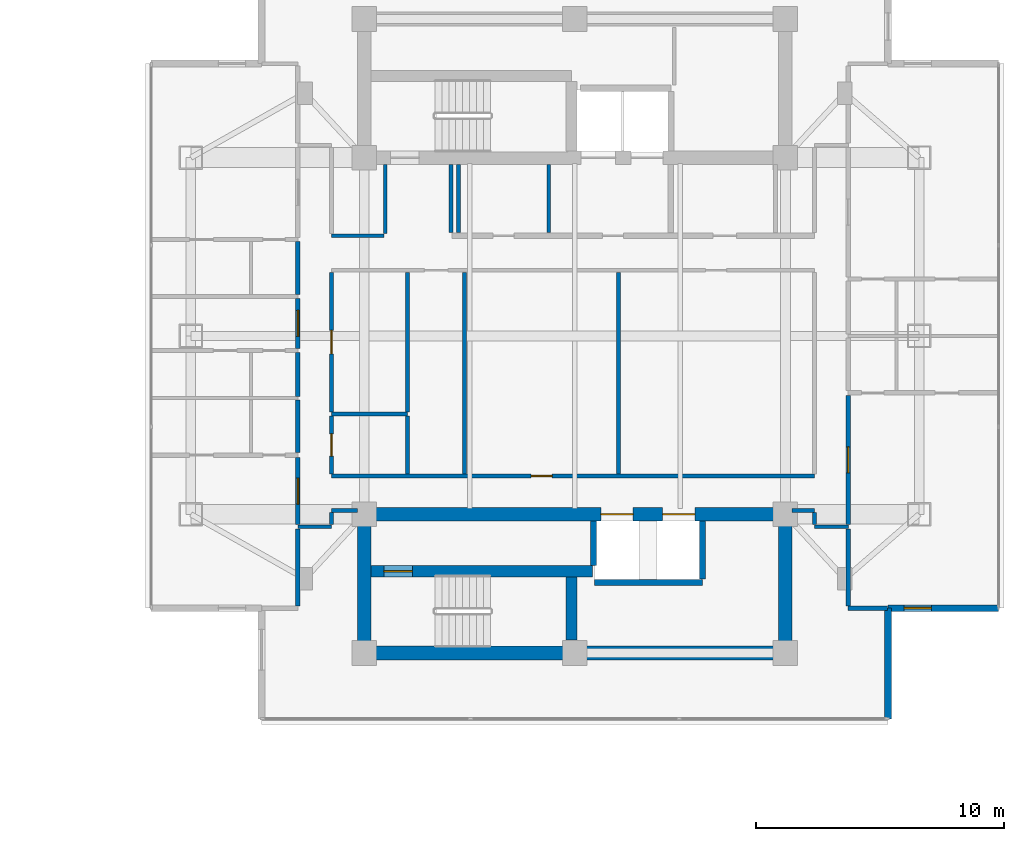
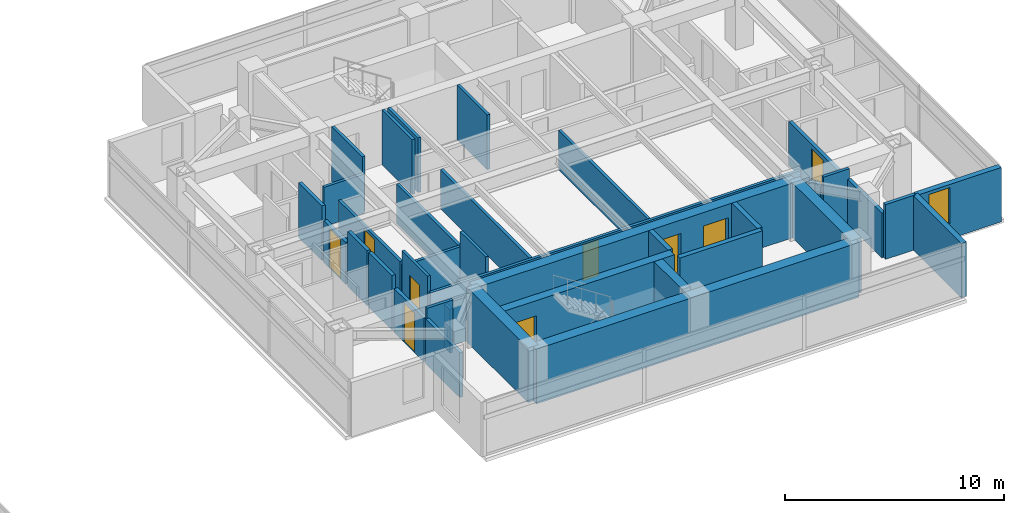
# One storey, part 16 of 24: 39 walls, 9 doors, 1 window, 10 openings.
"""IFC4 building model written with IfcOpenShell, lengths in metres."""

from ifc_helpers import new_model, si_unit, direction, frame, frame_2d, origin, place, context, subcontext, project, spatial, rectangle, extrude, material, layer, layer_set, type_object, element, fill, save


model = new_model("IFC4")

# Units and contexts
model_context = context("Model", 3, precision=1e-05, world=origin(), true_north=direction((0.0, 1.0)))
body_context = subcontext(model_context, "Body", "Model", "MODEL_VIEW")
ifc_project = project(units=[si_unit("LENGTHUNIT", "METRE"), si_unit("AREAUNIT", "SQUARE_METRE"), si_unit("VOLUMEUNIT", "CUBIC_METRE"), si_unit("PLANEANGLEUNIT", "RADIAN"), si_unit("MASSUNIT", "GRAM", prefix="KILO")], contexts=[model_context])

# Site, building, storey
site_placement = place(None, origin())
site = spatial("IfcSite", under=ifc_project, at=site_placement, CompositionType="ELEMENT")
building_placement = place(site_placement, origin())
building = spatial("IfcBuilding", under=site, at=building_placement, Name="Mirazonda Arch Towers", CompositionType="ELEMENT")
storey_placement = place(building_placement, frame((0.0, 0.0, 160.89990234375)))
storey = spatial("IfcBuildingStorey", under=building, at=storey_placement, Name="L45", CompositionType="ELEMENT", Elevation=160.89990234375)

# Wall, opening, door
ifc_material_1 = material(Name="Concrete C50/60", Category="concrete")
ifc_layer_1 = layer(ifc_material_1, 0.449951171875, Name="WALL-CORE-450")
ifc_layer_set_1 = layer_set([ifc_layer_1], Name="Concrete C50/60")
wall_type_1 = type_object("IfcWallType", Name="WALL-CORE-450", PredefinedType="SHEAR", material=ifc_layer_set_1)
wall_1_placement = place(storey_placement, frame((68.27001953125, 18.5, 0.0), z_axis=(0.0, 0.0, 1.0), x_axis=(1.0, 0.0, 0.0)))
wall_1 = element("IfcWall", 1, at=wall_1_placement, inside=storey, type_object=wall_type_1, Name="L45 Stair Core Shear Wall 014", PredefinedType="SHEAR", context=body_context, shape_type="SweptSolid", body=[
    extrude(rectangle(XDim=8.949951171875, YDim=0.449951171875, at=frame_2d((4.47509765625, 0.0))), origin(), (0.0, 0.0, 1.0), 3.050048828125),
])
opening_1_placement = place(wall_1_placement, frame((0.52001953125, 0.0, 0.0)))
opening_1 = element("IfcOpeningElement", 2, at=opening_1_placement, cuts=wall_1, Name="Opening DR-135", PredefinedType="OPENING", context=body_context, shape_type="SweptSolid", body=[
    extrude(rectangle(XDim=1.14990234375, YDim=2.199951171875, at=frame_2d((0.574951171875, 1.10009765625))), frame((0.0, 0.23486328125, 0.0), z_axis=(0.0, -1.0, 0.0), x_axis=(1.0, 0.0, 0.0)), (0.0, 0.0, 1.0), 0.469970703125),
])
ifc_material_2 = material(Name="Architectural Brushed Steel S355", Category="steel")
door_type_1 = type_object("IfcDoorType", Name="DOOR-STAIR-FD90-1150", OperationType="NOTDEFINED", PredefinedType="DOOR", material=ifc_material_2)
door_1_placement = place(opening_1_placement, origin())
door_1 = element("IfcDoor", 3, at=door_1_placement, inside=storey, type_object=door_type_1, Name="L45 East Protected Stair South Door", OperationType="SINGLE_SWING_LEFT", OverallHeight=2.199951171875, OverallWidth=1.14990234375, PredefinedType="DOOR", context=body_context, shape_type="SweptSolid", body=[
    extrude(rectangle(XDim=1.14990234375, YDim=2.199951171875, at=frame_2d((0.574951171875, 1.10009765625))), frame((0.0, 0.02490234375, 0.0), z_axis=(0.0, -1.0, 0.0), x_axis=(1.0, 0.0, 0.0)), (0.0, 0.0, 1.0), 0.050048828125),
])
fill(opening_1, door_1)

# Walls
wall_2_placement = place(storey_placement, frame((76.360107421875, 15.715087890625, 0.0), z_axis=(0.0, 0.0, 1.0), x_axis=(0.0, 1.0, 0.0)))
element("IfcWall", 4, at=wall_2_placement, inside=storey, type_object=wall_type_1, Name="L45 Stair Core Shear Wall 147", PredefinedType="SHEAR", context=body_context, shape_type="SweptSolid", body=[
    extrude(rectangle(XDim=2.5498046875, YDim=0.449951171875, at=frame_2d((1.27490234375, 0.0))), origin(), (0.0, 0.0, 1.0), 3.050048828125),
])
ifc_layer_2 = layer(ifc_material_1, 0.550048828125, Name="WALL-CORE-550")
ifc_layer_set_2 = layer_set([ifc_layer_2], Name="Concrete C50/60")
wall_type_2 = type_object("IfcWallType", Name="WALL-CORE-550", PredefinedType="SHEAR", material=ifc_layer_set_2)
wall_3_placement = place(storey_placement, frame((68.0, 15.199951171875, 0.0), z_axis=(0.0, 0.0, 1.0), x_axis=(1.0, 0.0, 0.0)))
element("IfcWall", 5, at=wall_3_placement, inside=storey, type_object=wall_type_2, Name="L45 T2S-S Core Shear Wall", PredefinedType="SHEAR", context=body_context, shape_type="SweptSolid", body=[
    extrude(rectangle(XDim=17.0, YDim=0.550048828125, at=frame_2d((8.5, 0.0))), origin(), (0.0, 0.0, 1.0), 3.050048828125),
])
for number, where, z_axis, x_axis, name in (
    (6, (68.0, 15.199951171875, 0.0), (0.0, 0.0, 1.0), (0.0, 1.0, 0.0), "L45 T2S-W Core Shear Wall"),
    (7, (85.0, 15.199951171875, 0.0), (0.0, 0.0, 1.0), (0.0, 1.0, 0.0), "L45 T2S-E Core Shear Wall"),
):
    element("IfcWall", number, at=place(storey_placement, frame(where, z_axis=z_axis, x_axis=x_axis)), inside=storey, type_object=wall_type_2, Name=name, PredefinedType="SHEAR", context=body_context, shape_type="SweptSolid", body=[
        extrude(rectangle(XDim=5.60009765625, YDim=0.550048828125, at=frame_2d((2.800048828125, 0.0))), origin(), (0.0, 0.0, 1.0), 3.050048828125),
    ])

# Wall, openings, doors
wall_4_placement = place(storey_placement, frame((68.0, 20.800048828125, 0.0), z_axis=(0.0, 0.0, 1.0), x_axis=(1.0, 0.0, 0.0)))
wall_4 = element("IfcWall", 8, at=wall_4_placement, inside=storey, type_object=wall_type_2, Name="L45 T2S-N Core Shear Wall", PredefinedType="SHEAR", context=body_context, shape_type="SweptSolid", body=[
    extrude(rectangle(XDim=17.0, YDim=0.550048828125, at=frame_2d((8.5, 0.0))), origin(), (0.0, 0.0, 1.0), 3.050048828125),
])
opening_2_placement = place(wall_4_placement, frame((9.550048828125, 0.0, 0.0)))
opening_2 = element("IfcOpeningElement", 9, at=opening_2_placement, cuts=wall_4, Name="Opening LD-111", PredefinedType="OPENING", context=body_context, shape_type="SweptSolid", body=[
    extrude(rectangle(XDim=1.300048828125, YDim=2.300048828125, at=frame_2d((0.64990234375, 1.14990234375))), frame((0.0, 0.284912109375, 0.0), z_axis=(0.0, -1.0, 0.0), x_axis=(1.0, 0.0, 0.0)), (0.0, 0.0, 1.0), 0.570068359375),
])
opening_3_placement = place(wall_4_placement, frame((12.050048828125, 0.0, 0.0)))
opening_3 = element("IfcOpeningElement", 10, at=opening_3_placement, cuts=wall_4, Name="Opening LD-111", PredefinedType="OPENING", context=body_context, shape_type="SweptSolid", body=[
    extrude(rectangle(XDim=1.300048828125, YDim=2.300048828125, at=frame_2d((0.64990234375, 1.14990234375))), frame((0.0, 0.284912109375, 0.0), z_axis=(0.0, -1.0, 0.0), x_axis=(1.0, 0.0, 0.0)), (0.0, 0.0, 1.0), 0.570068359375),
])
door_type_2 = type_object("IfcDoorType", Name="DOOR-LIFT-LAND-1300", OperationType="NOTDEFINED", PredefinedType="DOOR", material=ifc_material_2)
door_2_placement = place(opening_2_placement, origin())
door_2 = element("IfcDoor", 11, at=door_2_placement, inside=storey, type_object=door_type_2, Name="L45 Lift Landing Sliding Door PL-T2H1", OperationType="DOUBLE_DOOR_SLIDING", OverallHeight=2.300048828125, OverallWidth=1.300048828125, PredefinedType="DOOR", context=body_context, shape_type="SweptSolid", body=[
    extrude(rectangle(XDim=1.300048828125, YDim=2.300048828125, at=frame_2d((0.64990234375, 1.14990234375))), frame((0.0, 0.02490234375, 0.0), z_axis=(0.0, -1.0, 0.0), x_axis=(1.0, 0.0, 0.0)), (0.0, 0.0, 1.0), 0.050048828125),
])
fill(opening_2, door_2)
door_3_placement = place(opening_3_placement, origin())
door_3 = element("IfcDoor", 12, at=door_3_placement, inside=storey, type_object=door_type_2, Name="L45 Lift Landing Sliding Door PL-T2H2", OperationType="DOUBLE_DOOR_SLIDING", OverallHeight=2.300048828125, OverallWidth=1.300048828125, PredefinedType="DOOR", context=body_context, shape_type="SweptSolid", body=[
    extrude(rectangle(XDim=1.300048828125, YDim=2.300048828125, at=frame_2d((0.64990234375, 1.14990234375))), frame((0.0, 0.02490234375, 0.0), z_axis=(0.0, -1.0, 0.0), x_axis=(1.0, 0.0, 0.0)), (0.0, 0.0, 1.0), 0.050048828125),
])
fill(opening_3, door_3)

# Wall, opening, window
ifc_material_3 = material(Name="Precast Concrete C40/50", Category="concrete")
ifc_layer_3 = layer(ifc_material_3, 0.280029296875, Name="WALL-EXT-WALL-280")
ifc_layer_set_3 = layer_set([ifc_layer_3], Name="Precast Concrete C40/50")
wall_type_3 = type_object("IfcWallType", Name="WALL-EXT-WALL-280", PredefinedType="SOLIDWALL", material=ifc_layer_set_3)
wall_5_placement = place(storey_placement, frame((89.143310546875, 17.007080078125, 0.0), z_axis=(0.0, 0.0, 1.0), x_axis=(1.0, 0.0, 0.0)))
wall_5 = element("IfcWall", 13, at=wall_5_placement, inside=storey, type_object=wall_type_3, Name="L45 T2 Corner Notch Return Wall WL-L45-T2-CSE1", PredefinedType="SOLIDWALL", context=body_context, shape_type="SweptSolid", body=[
    extrude(rectangle(XDim=4.465087890625, YDim=0.280029296875, at=frame_2d((2.232421875, 0.0))), origin(), (0.0, 0.0, 1.0), 3.030029296875),
])
opening_4_placement = place(wall_5_placement, frame((0.64990234375, 0.0, 0.85009765625)))
opening_4 = element("IfcOpeningElement", 14, at=opening_4_placement, cuts=wall_5, Name="Opening WN-108", PredefinedType="OPENING", context=body_context, shape_type="SweptSolid", body=[
    extrude(rectangle(XDim=1.10009765625, YDim=2.0, at=frame_2d((0.550048828125, 1.0))), frame((0.0, 0.14990234375, 0.0), z_axis=(0.0, -1.0, 0.0), x_axis=(1.0, 0.0, 0.0)), (0.0, 0.0, 1.0), 0.300048828125),
])
ifc_material_4 = material(Name="Insulated Low-E Solar Glass", Category="glass")
window_type = type_object("IfcWindowType", Name="WIN-NOTCH-1100x2000", PartitioningType="SINGLE_PANEL", PredefinedType="WINDOW", material=ifc_material_4)
window_placement = place(opening_4_placement, origin())
window = element("IfcWindow", 15, at=window_placement, inside=storey, type_object=window_type, Name="L45 Punched Facade Window WN-L45-T2-CSE1", OverallHeight=2.0, OverallWidth=1.10009765625, PartitioningType="SINGLE_PANEL", PredefinedType="WINDOW", context=body_context, shape_type="SweptSolid", body=[
    extrude(rectangle(XDim=1.10009765625, YDim=2.0, at=frame_2d((0.550048828125, 1.0))), frame((0.0, 0.030029296875, 0.0), z_axis=(0.0, -1.0, 0.0), x_axis=(1.0, 0.0, 0.0)), (0.0, 0.0, 1.0), 0.06005859375),
])
fill(opening_4, window)

# Walls
wall_6_placement = place(storey_placement, frame((89.143310546875, 12.5419921875, 0.0), z_axis=(0.0, 0.0, 1.0), x_axis=(0.0, 1.0, 0.0)))
element("IfcWall", 16, at=wall_6_placement, inside=storey, type_object=wall_type_3, Name="L45 T2 Corner Notch Return Wall WL-L45-T2-CSE2", PredefinedType="SOLIDWALL", context=body_context, shape_type="SweptSolid", body=[
    extrude(rectangle(XDim=4.465087890625, YDim=0.280029296875, at=frame_2d((2.232421875, 0.0))), origin(), (0.0, 0.0, 1.0), 3.030029296875),
])
ifc_material_5 = material(Name="Fire-Rated Gypsum Stud Partition")
ifc_layer_4 = layer(ifc_material_5, 0.14990234375, Name="WALL-PART-CORR-150")
ifc_layer_set_4 = layer_set([ifc_layer_4], Name="Fire-Rated Gypsum Stud Partition")
wall_type_4 = type_object("IfcWallType", Name="WALL-PART-CORR-150", PredefinedType="PARTITIONING", material=ifc_layer_set_4)
wall_7_placement = place(storey_placement, frame((65.320068359375, 20.300048828125, 0.0), z_axis=(0.0, 0.0, 1.0), x_axis=(1.0, 0.0, 0.0)))
element("IfcWall", 17, at=wall_7_placement, inside=storey, type_object=wall_type_4, Name="L45 Interior Partition 017", PredefinedType="PARTITIONING", context=body_context, shape_type="SweptSolid", body=[
    extrude(rectangle(XDim=1.35986328125, YDim=0.14990234375, at=frame_2d((0.679931640625, 0.0))), origin(), (0.0, 0.0, 1.0), 3.050048828125),
])
wall_8_placement = place(storey_placement, frame((86.179931640625, 20.300048828125, 0.0), z_axis=(0.0, 0.0, 1.0), x_axis=(1.0, 0.0, 0.0)))
element("IfcWall", 18, at=wall_8_placement, inside=storey, type_object=wall_type_4, Name="L45 Interior Partition 018", PredefinedType="PARTITIONING", context=body_context, shape_type="SweptSolid", body=[
    extrude(rectangle(XDim=1.360107421875, YDim=0.14990234375, at=frame_2d((0.68017578125, 0.0))), origin(), (0.0, 0.0, 1.0), 3.050048828125),
])
wall_9_placement = place(storey_placement, frame((66.679931640625, 20.949951171875, 0.0), z_axis=(0.0, 0.0, 1.0), x_axis=(1.0, 0.0, 0.0)))
element("IfcWall", 19, at=wall_9_placement, inside=storey, type_object=wall_type_4, Name="L45 Interior Partition 019", PredefinedType="PARTITIONING", context=body_context, shape_type="SweptSolid", body=[
    extrude(rectangle(XDim=1.050048828125, YDim=0.14990234375, at=frame_2d((0.52490234375, 0.0))), origin(), (0.0, 0.0, 1.0), 2.442138671875),
])
wall_10_placement = place(storey_placement, frame((85.27001953125, 20.949951171875, 0.0), z_axis=(0.0, 0.0, 1.0), x_axis=(1.0, 0.0, 0.0)))
element("IfcWall", 20, at=wall_10_placement, inside=storey, type_object=wall_type_4, Name="L45 Interior Partition 020", PredefinedType="PARTITIONING", context=body_context, shape_type="SweptSolid", body=[
    extrude(rectangle(XDim=0.909912109375, YDim=0.14990234375, at=frame_2d((0.455078125, 0.0))), origin(), (0.0, 0.0, 1.0), 2.442138671875),
])

# Wall, opening, door
wall_11_placement = place(storey_placement, frame((66.679931640625, 22.35009765625, 0.0), z_axis=(0.0, 0.0, 1.0), x_axis=(1.0, 0.0, 0.0)))
wall_11 = element("IfcWall", 21, at=wall_11_placement, inside=storey, type_object=wall_type_4, Name="L45 Interior Partition 023", PredefinedType="PARTITIONING", context=body_context, shape_type="SweptSolid", body=[
    extrude(rectangle(XDim=19.5, YDim=0.14990234375, at=frame_2d((9.75, 0.0))), origin(), (0.0, 0.0, 1.0), 2.18603515625),
])
opening_5_placement = place(wall_11_placement, frame((8.053466796875, 0.0, 0.0)))
opening_5 = element("IfcOpeningElement", 22, at=opening_5_placement, cuts=wall_11, Name="Opening DR-128", PredefinedType="OPENING", context=body_context, shape_type="SweptSolid", body=[
    extrude(rectangle(XDim=0.85009765625, YDim=2.010009765625, at=frame_2d((0.425048828125, 1.0048828125))), frame((0.0, 0.0849609375, 0.0), z_axis=(0.0, -1.0, 0.0), x_axis=(1.0, 0.0, 0.0)), (0.0, 0.0, 1.0), 0.169921875),
])
door_type_3 = type_object("IfcDoorType", Name="DOOR-RISER-FD60-850", OperationType="NOTDEFINED", PredefinedType="DOOR", material=ifc_material_2)
door_4_placement = place(opening_5_placement, origin())
door_4 = element("IfcDoor", 23, at=door_4_placement, inside=storey, type_object=door_type_3, Name="L45 Residents Private Library Door", OperationType="SINGLE_SWING_RIGHT", OverallHeight=2.010009765625, OverallWidth=0.85009765625, PredefinedType="DOOR", context=body_context, shape_type="SweptSolid", body=[
    extrude(rectangle(XDim=0.85009765625, YDim=2.010009765625, at=frame_2d((0.425048828125, 1.0048828125))), frame((0.0, 0.02490234375, 0.0), z_axis=(0.0, -1.0, 0.0), x_axis=(1.0, 0.0, 0.0)), (0.0, 0.0, 1.0), 0.050048828125),
])
fill(opening_5, door_4)

# Walls
wall_12_placement = place(storey_placement, frame((66.679931640625, 24.85009765625, 0.0), z_axis=(0.0, 0.0, 1.0), x_axis=(1.0, 0.0, 0.0)))
element("IfcWall", 24, at=wall_12_placement, inside=storey, type_object=wall_type_4, Name="L45 Interior Partition 028", PredefinedType="PARTITIONING", context=body_context, shape_type="SweptSolid", body=[
    extrude(rectangle(XDim=3.070068359375, YDim=0.14990234375, at=frame_2d((1.53515625, 0.0))), origin(), (0.0, 0.0, 1.0), 2.18603515625),
])
wall_13_placement = place(storey_placement, frame((66.679931640625, 32.050048828125, 0.0), z_axis=(0.0, 0.0, 1.0), x_axis=(1.0, 0.0, 0.0)))
element("IfcWall", 25, at=wall_13_placement, inside=storey, type_object=wall_type_4, Name="L45 Interior Partition 045", PredefinedType="PARTITIONING", context=body_context, shape_type="SweptSolid", body=[
    extrude(rectangle(XDim=2.1201171875, YDim=0.14990234375, at=frame_2d((1.06005859375, 0.0))), origin(), (0.0, 0.0, 1.0), 2.18603515625),
])
wall_14_placement = place(storey_placement, frame((66.679931640625, 20.385009765625, 0.0), z_axis=(0.0, 0.0, 1.0), x_axis=(0.0, 1.0, 0.0)))
element("IfcWall", 26, at=wall_14_placement, inside=storey, type_object=wall_type_4, Name="L45 Interior Partition 136", PredefinedType="PARTITIONING", context=body_context, shape_type="SweptSolid", body=[
    extrude(rectangle(XDim=0.47998046875, YDim=0.14990234375, at=frame_2d((0.239990234375, 0.0))), origin(), (0.0, 0.0, 1.0), 2.442138671875),
])

# Wall, opening, door
wall_15_placement = place(storey_placement, frame((66.679931640625, 22.43505859375, 0.0), z_axis=(0.0, 0.0, 1.0), x_axis=(0.0, 1.0, 0.0)))
wall_15 = element("IfcWall", 27, at=wall_15_placement, inside=storey, type_object=wall_type_4, Name="L45 Interior Partition 137", PredefinedType="PARTITIONING", context=body_context, shape_type="SweptSolid", body=[
    extrude(rectangle(XDim=2.329833984375, YDim=0.14990234375, at=frame_2d((1.1650390625, 0.0))), origin(), (0.0, 0.0, 1.0), 3.050048828125),
])
opening_6_placement = place(wall_15_placement, frame((0.715087890625, 0.0, 0.0)))
opening_6 = element("IfcOpeningElement", 28, at=opening_6_placement, cuts=wall_15, Name="Opening DR-120", PredefinedType="OPENING", context=body_context, shape_type="SweptSolid", body=[
    extrude(rectangle(XDim=0.89990234375, YDim=2.10009765625, at=frame_2d((0.449951171875, 1.050048828125))), frame((0.0, 0.0849609375, 0.0), z_axis=(0.0, -1.0, 0.0), x_axis=(1.0, 0.0, 0.0)), (0.0, 0.0, 1.0), 0.169921875),
])
door_type_4 = type_object("IfcDoorType", Name="DOOR-WC-900", OperationType="NOTDEFINED", PredefinedType="DOOR", material=ifc_material_2)
door_5_placement = place(opening_6_placement, origin())
door_5 = element("IfcDoor", 29, at=door_5_placement, inside=storey, type_object=door_type_4, Name="L45 Tower 2 Common Accessible WC Door", OperationType="SINGLE_SWING_RIGHT", OverallHeight=2.10009765625, OverallWidth=0.89990234375, PredefinedType="DOOR", context=body_context, shape_type="SweptSolid", body=[
    extrude(rectangle(XDim=0.89990234375, YDim=2.10009765625, at=frame_2d((0.449951171875, 1.050048828125))), frame((0.0, 0.02490234375, 0.0), z_axis=(0.0, -1.0, 0.0), x_axis=(1.0, 0.0, 0.0)), (0.0, 0.0, 1.0), 0.050048828125),
])
fill(opening_6, door_5)

wall_16_placement = place(storey_placement, frame((66.679931640625, 24.93505859375, 0.0), z_axis=(0.0, 0.0, 1.0), x_axis=(0.0, 1.0, 0.0)))
wall_16 = element("IfcWall", 30, at=wall_16_placement, inside=storey, type_object=wall_type_4, Name="L45 Interior Partition 138", PredefinedType="PARTITIONING", context=body_context, shape_type="SweptSolid", body=[
    extrude(rectangle(XDim=5.6298828125, YDim=0.14990234375, at=frame_2d((2.81494140625, 0.0))), origin(), (0.0, 0.0, 1.0), 2.34619140625),
])
opening_7_placement = place(wall_16_placement, frame((2.340087890625, 0.0, 0.0)))
opening_7 = element("IfcOpeningElement", 31, at=opening_7_placement, cuts=wall_16, Name="Opening DR-104", PredefinedType="OPENING", context=body_context, shape_type="SweptSolid", body=[
    extrude(rectangle(XDim=0.949951171875, YDim=2.14990234375, at=frame_2d((0.47509765625, 1.074951171875))), frame((0.0, 0.0849609375, 0.0), z_axis=(0.0, -1.0, 0.0), x_axis=(1.0, 0.0, 0.0)), (0.0, 0.0, 1.0), 0.169921875),
])
door_type_5 = type_object("IfcDoorType", Name="DOOR-ROOM-950", OperationType="NOTDEFINED", PredefinedType="DOOR", material=ifc_material_2)
door_6_placement = place(opening_7_placement, origin())
door_6 = element("IfcDoor", 32, at=door_6_placement, inside=storey, type_object=door_type_5, Name="L45 L45 East Courtyard Reading Study Door", OperationType="SINGLE_SWING_RIGHT", OverallHeight=2.14990234375, OverallWidth=0.949951171875, PredefinedType="DOOR", context=body_context, shape_type="SweptSolid", body=[
    extrude(rectangle(XDim=0.949951171875, YDim=2.14990234375, at=frame_2d((0.47509765625, 1.074951171875))), frame((0.0, 0.02490234375, 0.0), z_axis=(0.0, -1.0, 0.0), x_axis=(1.0, 0.0, 0.0)), (0.0, 0.0, 1.0), 0.050048828125),
])
fill(opening_7, door_6)

# Walls
wall_17_placement = place(storey_placement, frame((68.85009765625, 32.135009765625, 0.0), z_axis=(0.0, 0.0, 1.0), x_axis=(0.0, 1.0, 0.0)))
element("IfcWall", 33, at=wall_17_placement, inside=storey, type_object=wall_type_4, Name="L45 Interior Partition 140", PredefinedType="PARTITIONING", context=body_context, shape_type="SweptSolid", body=[
    extrude(rectangle(XDim=2.794921875, YDim=0.14990234375, at=frame_2d((1.3974609375, 0.0))), origin(), (0.0, 0.0, 1.0), 3.050048828125),
])
wall_18_placement = place(storey_placement, frame((69.743408203125, 22.43505859375, 0.0), z_axis=(0.0, 0.0, 1.0), x_axis=(0.0, 1.0, 0.0)))
element("IfcWall", 34, at=wall_18_placement, inside=storey, type_object=wall_type_4, Name="L45 Interior Partition 141", PredefinedType="PARTITIONING", context=body_context, shape_type="SweptSolid", body=[
    extrude(rectangle(XDim=2.329833984375, YDim=0.14990234375, at=frame_2d((1.1650390625, 0.0))), origin(), (0.0, 0.0, 1.0), 3.050048828125),
])
wall_19_placement = place(storey_placement, frame((69.743408203125, 24.93505859375, 0.0), z_axis=(0.0, 0.0, 1.0), x_axis=(0.0, 1.0, 0.0)))
element("IfcWall", 35, at=wall_19_placement, inside=storey, type_object=wall_type_4, Name="L45 Interior Partition 142", PredefinedType="PARTITIONING", context=body_context, shape_type="SweptSolid", body=[
    extrude(rectangle(XDim=5.6298828125, YDim=0.14990234375, at=frame_2d((2.81494140625, 0.0))), origin(), (0.0, 0.0, 1.0), 2.18603515625),
])
for number, where, z_axis, x_axis, name in (
    (36, (71.5, 32.169921875, 0.0), (0.0, 0.0, 1.0), (0.0, 1.0, 0.0), "L45 Interior Partition 143"),
    (37, (71.800048828125, 32.169921875, 0.0), (0.0, 0.0, 1.0), (0.0, 1.0, 0.0), "L45 Interior Partition 144"),
):
    element("IfcWall", number, at=place(storey_placement, frame(where, z_axis=z_axis, x_axis=x_axis)), inside=storey, type_object=wall_type_4, Name=name, PredefinedType="PARTITIONING", context=body_context, shape_type="SweptSolid", body=[
        extrude(rectangle(XDim=2.760009765625, YDim=0.14990234375, at=frame_2d((1.3798828125, 0.0))), origin(), (0.0, 0.0, 1.0), 3.050048828125),
    ])
wall_20_placement = place(storey_placement, frame((72.050048828125, 22.43505859375, 0.0), z_axis=(0.0, 0.0, 1.0), x_axis=(0.0, 1.0, 0.0)))
element("IfcWall", 38, at=wall_20_placement, inside=storey, type_object=wall_type_4, Name="L45 Interior Partition 145", PredefinedType="PARTITIONING", context=body_context, shape_type="SweptSolid", body=[
    extrude(rectangle(XDim=8.1298828125, YDim=0.14990234375, at=frame_2d((4.06494140625, 0.0))), origin(), (0.0, 0.0, 1.0), 2.18603515625),
])
wall_21_placement = place(storey_placement, frame((75.449951171875, 32.169921875, 0.0), z_axis=(0.0, 0.0, 1.0), x_axis=(0.0, 1.0, 0.0)))
element("IfcWall", 39, at=wall_21_placement, inside=storey, type_object=wall_type_4, Name="L45 Interior Partition 146", PredefinedType="PARTITIONING", context=body_context, shape_type="SweptSolid", body=[
    extrude(rectangle(XDim=2.760009765625, YDim=0.14990234375, at=frame_2d((1.3798828125, 0.0))), origin(), (0.0, 0.0, 1.0), 3.050048828125),
])
wall_22_placement = place(storey_placement, frame((78.26708984375, 22.43505859375, 0.0), z_axis=(0.0, 0.0, 1.0), x_axis=(0.0, 1.0, 0.0)))
element("IfcWall", 40, at=wall_22_placement, inside=storey, type_object=wall_type_4, Name="L45 Interior Partition 150", PredefinedType="PARTITIONING", context=body_context, shape_type="SweptSolid", body=[
    extrude(rectangle(XDim=8.1298828125, YDim=0.14990234375, at=frame_2d((4.06494140625, 0.0))), origin(), (0.0, 0.0, 1.0), 2.18603515625),
])
wall_23_placement = place(storey_placement, frame((86.179931640625, 20.385009765625, 0.0), z_axis=(0.0, 0.0, 1.0), x_axis=(0.0, 1.0, 0.0)))
element("IfcWall", 41, at=wall_23_placement, inside=storey, type_object=wall_type_4, Name="L45 Interior Partition 156", PredefinedType="PARTITIONING", context=body_context, shape_type="SweptSolid", body=[
    extrude(rectangle(XDim=0.47998046875, YDim=0.14990234375, at=frame_2d((0.239990234375, 0.0))), origin(), (0.0, 0.0, 1.0), 2.442138671875),
])
ifc_material_6 = material(Name="Fire-Rated Gypsum Twin-Stud Assembly")
ifc_layer_5 = layer(ifc_material_6, 0.179931640625, Name="WALL-PART-DEMISE-180")
ifc_layer_set_5 = layer_set([ifc_layer_5], Name="Fire-Rated Gypsum Twin-Stud Assembly")
wall_type_5 = type_object("IfcWallType", Name="WALL-PART-DEMISE-180", PredefinedType="PARTITIONING", material=ifc_layer_set_5)
wall_24_placement = place(storey_placement, frame((87.5400390625, 17.007080078125, 0.0), z_axis=(0.0, 0.0, 1.0), x_axis=(1.0, 0.0, 0.0)))
element("IfcWall", 42, at=wall_24_placement, inside=storey, type_object=wall_type_5, Name="L45 Interior Partition 010", PredefinedType="PARTITIONING", context=body_context, shape_type="SweptSolid", body=[
    extrude(rectangle(XDim=1.583251953125, YDim=0.179931640625, at=frame_2d((0.79150390625, 0.0))), origin(), (0.0, 0.0, 1.0), 3.050048828125),
])
wall_25_placement = place(storey_placement, frame((65.320068359375, 17.10693359375, 0.0), z_axis=(0.0, 0.0, 1.0), x_axis=(0.0, 1.0, 0.0)))
element("IfcWall", 43, at=wall_25_placement, inside=storey, type_object=wall_type_5, Name="L45 Interior Partition 128", PredefinedType="PARTITIONING", context=body_context, shape_type="SweptSolid", body=[
    extrude(rectangle(XDim=3.108154296875, YDim=0.179931640625, at=frame_2d((1.55419921875, 0.0))), origin(), (0.0, 0.0, 1.0), 2.4931640625),
])

# Wall, opening, door
wall_26_placement = place(storey_placement, frame((65.320068359375, 20.385009765625, 0.0), z_axis=(0.0, 0.0, 1.0), x_axis=(0.0, 1.0, 0.0)))
wall_26 = element("IfcWall", 44, at=wall_26_placement, inside=storey, type_object=wall_type_5, Name="L45 Interior Partition 129", PredefinedType="PARTITIONING", context=body_context, shape_type="SweptSolid", body=[
    extrude(rectangle(XDim=2.70703125, YDim=0.179931640625, at=frame_2d((1.353515625, 0.0))), origin(), (0.0, 0.0, 1.0), 2.442138671875),
])
opening_8_placement = place(wall_26_placement, frame((0.82861328125, 0.0, 0.0)))
opening_8 = element("IfcOpeningElement", 45, at=opening_8_placement, cuts=wall_26, Name="Opening DR-121", PredefinedType="OPENING", context=body_context, shape_type="SweptSolid", body=[
    extrude(rectangle(XDim=1.050048828125, YDim=2.199951171875, at=frame_2d((0.52490234375, 1.10009765625))), frame((0.0, 0.099853515625, 0.0), z_axis=(0.0, -1.0, 0.0), x_axis=(1.0, 0.0, 0.0)), (0.0, 0.0, 1.0), 0.199951171875),
])
door_type_6 = type_object("IfcDoorType", Name="DOOR-SUITE-FD60-1050", OperationType="NOTDEFINED", PredefinedType="DOOR", material=ifc_material_2)
door_7_placement = place(opening_8_placement, origin())
door_7 = element("IfcDoor", 46, at=door_7_placement, inside=storey, type_object=door_type_6, Name="L45 Studio Apartment 1 Living Salon Door", OperationType="SINGLE_SWING_LEFT", OverallHeight=2.199951171875, OverallWidth=1.050048828125, PredefinedType="DOOR", context=body_context, shape_type="SweptSolid", body=[
    extrude(rectangle(XDim=1.050048828125, YDim=2.199951171875, at=frame_2d((0.52490234375, 1.10009765625))), frame((0.0, 0.02490234375, 0.0), z_axis=(0.0, -1.0, 0.0), x_axis=(1.0, 0.0, 0.0)), (0.0, 0.0, 1.0), 0.050048828125),
])
fill(opening_8, door_7)

# Walls
wall_27_placement = place(storey_placement, frame((65.320068359375, 23.2919921875, 0.0), z_axis=(0.0, 0.0, 1.0), x_axis=(0.0, 1.0, 0.0)))
element("IfcWall", 47, at=wall_27_placement, inside=storey, type_object=wall_type_5, Name="L45 Interior Partition 130", PredefinedType="PARTITIONING", context=body_context, shape_type="SweptSolid", body=[
    extrude(rectangle(XDim=2.12744140625, YDim=0.179931640625, at=frame_2d((1.063720703125, 0.0))), origin(), (0.0, 0.0, 1.0), 3.050048828125),
])
wall_28_placement = place(storey_placement, frame((65.320068359375, 25.564453125, 0.0), z_axis=(0.0, 0.0, 1.0), x_axis=(0.0, 1.0, 0.0)))
element("IfcWall", 48, at=wall_28_placement, inside=storey, type_object=wall_type_5, Name="L45 Interior Partition 131", PredefinedType="PARTITIONING", context=body_context, shape_type="SweptSolid", body=[
    extrude(rectangle(XDim=1.762451171875, YDim=0.179931640625, at=frame_2d((0.88134765625, 0.0))), origin(), (0.0, 0.0, 1.0), 3.050048828125),
])

# Wall, opening, door
wall_29_placement = place(storey_placement, frame((65.320068359375, 27.4970703125, 0.0), z_axis=(0.0, 0.0, 1.0), x_axis=(0.0, 1.0, 0.0)))
wall_29 = element("IfcWall", 49, at=wall_29_placement, inside=storey, type_object=wall_type_5, Name="L45 Interior Partition 132", PredefinedType="PARTITIONING", context=body_context, shape_type="SweptSolid", body=[
    extrude(rectangle(XDim=2.013916015625, YDim=0.179931640625, at=frame_2d((1.0068359375, 0.0))), origin(), (0.0, 0.0, 1.0), 2.34619140625),
])
opening_9_placement = place(wall_29_placement, frame((0.48193359375, 0.0, 0.0)))
opening_9 = element("IfcOpeningElement", 50, at=opening_9_placement, cuts=wall_29, Name="Opening DR-121", PredefinedType="OPENING", context=body_context, shape_type="SweptSolid", body=[
    extrude(rectangle(XDim=1.050048828125, YDim=2.199951171875, at=frame_2d((0.52490234375, 1.10009765625))), frame((0.0, 0.099853515625, 0.0), z_axis=(0.0, -1.0, 0.0), x_axis=(1.0, 0.0, 0.0)), (0.0, 0.0, 1.0), 0.199951171875),
])
door_8_placement = place(opening_9_placement, origin())
door_8 = element("IfcDoor", 51, at=door_8_placement, inside=storey, type_object=door_type_6, Name="L45 Studio Apartment 2 Living Salon Door", OperationType="SINGLE_SWING_RIGHT", OverallHeight=2.199951171875, OverallWidth=1.050048828125, PredefinedType="DOOR", context=body_context, shape_type="SweptSolid", body=[
    extrude(rectangle(XDim=1.050048828125, YDim=2.199951171875, at=frame_2d((0.52490234375, 1.10009765625))), frame((0.0, 0.02490234375, 0.0), z_axis=(0.0, -1.0, 0.0), x_axis=(1.0, 0.0, 0.0)), (0.0, 0.0, 1.0), 0.050048828125),
])
fill(opening_9, door_8)

# Walls
wall_30_placement = place(storey_placement, frame((65.320068359375, 29.680908203125, 0.0), z_axis=(0.0, 0.0, 1.0), x_axis=(0.0, 1.0, 0.0)))
element("IfcWall", 52, at=wall_30_placement, inside=storey, type_object=wall_type_5, Name="L45 Interior Partition 133", PredefinedType="PARTITIONING", context=body_context, shape_type="SweptSolid", body=[
    extrude(rectangle(XDim=2.130126953125, YDim=0.179931640625, at=frame_2d((1.06494140625, 0.0))), origin(), (0.0, 0.0, 1.0), 3.050048828125),
])
wall_31_placement = place(storey_placement, frame((87.5400390625, 17.10693359375, 0.0), z_axis=(0.0, 0.0, 1.0), x_axis=(0.0, 1.0, 0.0)))
element("IfcWall", 53, at=wall_31_placement, inside=storey, type_object=wall_type_5, Name="L45 Interior Partition 159", PredefinedType="PARTITIONING", context=body_context, shape_type="SweptSolid", body=[
    extrude(rectangle(XDim=3.108154296875, YDim=0.179931640625, at=frame_2d((1.55419921875, 0.0))), origin(), (0.0, 0.0, 1.0), 2.4931640625),
])

# Wall, opening, door
wall_32_placement = place(storey_placement, frame((87.5400390625, 20.385009765625, 0.0), z_axis=(0.0, 0.0, 1.0), x_axis=(0.0, 1.0, 0.0)))
wall_32 = element("IfcWall", 54, at=wall_32_placement, inside=storey, type_object=wall_type_5, Name="L45 Interior Partition 160", PredefinedType="PARTITIONING", context=body_context, shape_type="SweptSolid", body=[
    extrude(rectangle(XDim=5.215087890625, YDim=0.179931640625, at=frame_2d((2.607421875, 0.0))), origin(), (0.0, 0.0, 1.0), 2.442138671875),
])
opening_10_placement = place(wall_32_placement, frame((2.08251953125, 0.0, 0.0)))
opening_10 = element("IfcOpeningElement", 55, at=opening_10_placement, cuts=wall_32, Name="Opening DR-121", PredefinedType="OPENING", context=body_context, shape_type="SweptSolid", body=[
    extrude(rectangle(XDim=1.050048828125, YDim=2.199951171875, at=frame_2d((0.52490234375, 1.10009765625))), frame((0.0, 0.099853515625, 0.0), z_axis=(0.0, -1.0, 0.0), x_axis=(1.0, 0.0, 0.0)), (0.0, 0.0, 1.0), 0.199951171875),
])
door_9_placement = place(opening_10_placement, origin())
door_9 = element("IfcDoor", 56, at=door_9_placement, inside=storey, type_object=door_type_6, Name="L45 Studio Apartment 1 Living Salon Door", OperationType="SINGLE_SWING_RIGHT", OverallHeight=2.199951171875, OverallWidth=1.050048828125, PredefinedType="DOOR", context=body_context, shape_type="SweptSolid", body=[
    extrude(rectangle(XDim=1.050048828125, YDim=2.199951171875, at=frame_2d((0.52490234375, 1.10009765625))), frame((0.0, 0.02490234375, 0.0), z_axis=(0.0, -1.0, 0.0), x_axis=(1.0, 0.0, 0.0)), (0.0, 0.0, 1.0), 0.050048828125),
])
fill(opening_10, door_9)

# Walls
ifc_material_7 = material(Name="Concrete C40/50", Category="concrete")
ifc_layer_6 = layer(ifc_material_7, 0.25, Name="WALL-SHAFT-250")
ifc_layer_set_6 = layer_set([ifc_layer_6], Name="Concrete C40/50")
wall_type_6 = type_object("IfcWallType", Name="WALL-SHAFT-250", PredefinedType="SOLIDWALL", material=ifc_layer_set_6)
wall_33_placement = place(storey_placement, frame((77.300048828125, 18.050048828125, 0.0), z_axis=(0.0, 0.0, 1.0), x_axis=(1.0, 0.0, 0.0)))
element("IfcWall", 57, at=wall_33_placement, inside=storey, type_object=wall_type_6, Name="L45 Interior Partition 011", PredefinedType="SOLIDWALL", context=body_context, shape_type="SweptSolid", body=[
    extrude(rectangle(XDim=4.349853515625, YDim=0.25, at=frame_2d((2.1748046875, 0.0))), origin(), (0.0, 0.0, 1.0), 3.050048828125),
])
wall_34_placement = place(storey_placement, frame((77.260009765625, 18.735107421875, 0.0), z_axis=(0.0, 0.0, 1.0), x_axis=(0.0, 1.0, 0.0)))
element("IfcWall", 58, at=wall_34_placement, inside=storey, type_object=wall_type_6, Name="L45 Interior Partition 149", PredefinedType="SOLIDWALL", context=body_context, shape_type="SweptSolid", body=[
    extrude(rectangle(XDim=1.794921875, YDim=0.25, at=frame_2d((0.8974609375, 0.0))), origin(), (0.0, 0.0, 1.0), 3.050048828125),
])
wall_35_placement = place(storey_placement, frame((81.64990234375, 18.18505859375, 0.0), z_axis=(0.0, 0.0, 1.0), x_axis=(0.0, 1.0, 0.0)))
element("IfcWall", 59, at=wall_35_placement, inside=storey, type_object=wall_type_6, Name="L45 Interior Partition 154", PredefinedType="SOLIDWALL", context=body_context, shape_type="SweptSolid", body=[
    extrude(rectangle(XDim=2.344970703125, YDim=0.25, at=frame_2d((1.17236328125, 0.0))), origin(), (0.0, 0.0, 1.0), 3.050048828125),
])

save(model, "model.ifc")
